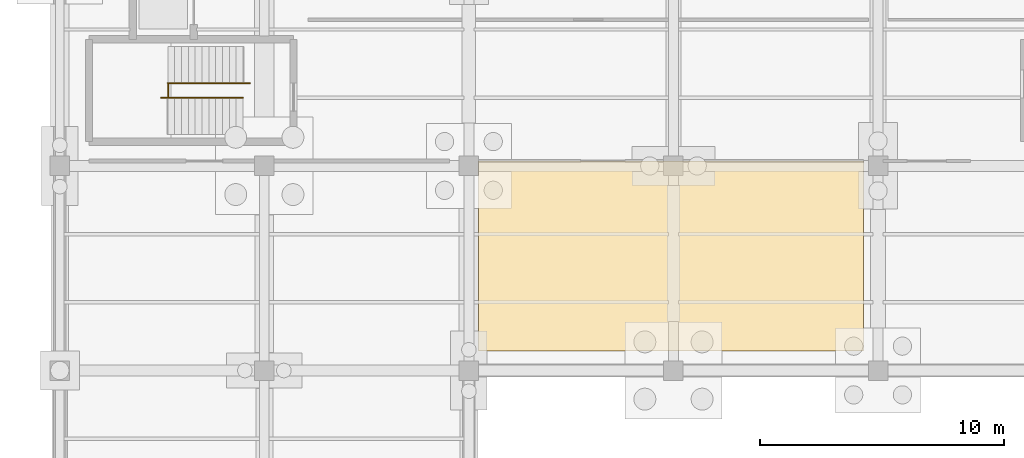
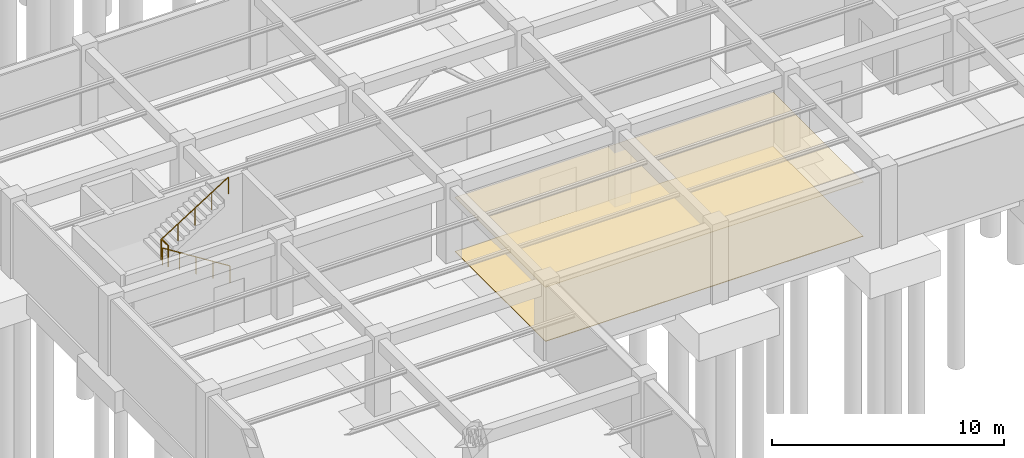
# One storey, part 32 of 38: 3 railings, 2 coverings.
"""IFC4 building model written with IfcOpenShell, lengths in metres."""

from ifc_helpers import new_model, si_unit, direction, frame, origin, origin_2d, place, context, subcontext, project, spatial, polyline, circle, outline, extrude, material, layer, layer_set, type_object, element, save


model = new_model("IFC4")

# Units and contexts
model_context = context("Model", 3, precision=1e-05, world=origin(), true_north=direction((0.0, 1.0)))
body_context = subcontext(model_context, "Body", "Model", "MODEL_VIEW")
ifc_project = project(units=[si_unit("LENGTHUNIT", "METRE"), si_unit("AREAUNIT", "SQUARE_METRE"), si_unit("VOLUMEUNIT", "CUBIC_METRE"), si_unit("PLANEANGLEUNIT", "RADIAN"), si_unit("MASSUNIT", "GRAM", prefix="KILO"), si_unit("THERMODYNAMICTEMPERATUREUNIT", "KELVIN"), si_unit("POWERUNIT", "WATT")], contexts=[model_context])

# Site, building, storey
site_placement = place(None, origin())
site = spatial("IfcSite", under=ifc_project, at=site_placement, CompositionType="ELEMENT")
building_placement = place(site_placement, origin())
building = spatial("IfcBuilding", under=site, at=building_placement, Name="Darbajah Civic Hall", CompositionType="ELEMENT")
storey_placement = place(building_placement, frame((0.0, 0.0, -4.199951171875)))
storey = spatial("IfcBuildingStorey", under=building, at=storey_placement, Name="B01", CompositionType="ELEMENT", Elevation=-4.199951171875)

# Railings
ifc_material_1 = material(Name="Brushed Bronze Stainless Steel", Category="steel")
railing_type_1 = type_object("IfcRailingType", Name="Brushed Bronze Handrail", PredefinedType="HANDRAIL", material=ifc_material_1)
railing_1_placement = place(storey_placement, frame((7.52001953125, 28.0, 0.175048828125)))
element("IfcRailing", 1, at=railing_1_placement, inside=storey, type_object=railing_type_1, Name="ST10 B01 lower flight handrail", PredefinedType="HANDRAIL", context=body_context, shape_type="SweptSolid", body=[
    extrude(circle(Radius=0.02392578125, at=origin_2d()), frame((-0.023193359375, 0.0, 0.910400390625), z_axis=(-0.845972016735, 0.0, 0.533227293844), x_axis=(0.0, -1.0, 0.0)), (0.0, 0.0, 1.0), 3.917236328125),
    extrude(circle(Radius=0.02099609375, at=origin_2d()), origin(), (0.0, 0.0, 1.0), 0.867919921875),
    extrude(circle(Radius=0.02099609375, at=origin_2d()), frame((-0.840087890625, 0.0, 0.529541015625)), (0.0, 0.0, 1.0), 0.867919921875),
    extrude(circle(Radius=0.02099609375, at=origin_2d()), frame((-1.68017578125, 0.0, 1.05908203125)), (0.0, 0.0, 1.0), 0.867919921875),
    extrude(circle(Radius=0.02099609375, at=origin_2d()), frame((-2.52001953125, 0.0, 1.58837890625)), (0.0, 0.0, 1.0), 0.867919921875),
    extrude(circle(Radius=0.02099609375, at=origin_2d()), frame((-3.360107421875, 0.0, 2.117919921875)), (0.0, 0.0, 1.0), 0.867919921875),
])
railing_2_placement = place(storey_placement, frame((4.43994140625, 28.60009765625, 2.27490234375)))
element("IfcRailing", 2, at=railing_2_placement, inside=storey, type_object=railing_type_1, Name="ST10 B01 upper flight handrail", PredefinedType="HANDRAIL", context=body_context, shape_type="SweptSolid", body=[
    extrude(circle(Radius=0.02392578125, at=origin_2d()), frame((0.023193359375, 0.0, 0.910400390625), z_axis=(0.845944288966, 0.0, 0.533271281775), x_axis=(0.0, 1.0, 0.0)), (0.0, 0.0, 1.0), 3.91748046875),
    extrude(circle(Radius=0.02099609375, at=origin_2d()), origin(), (0.0, 0.0, 1.0), 0.867919921875),
    extrude(circle(Radius=0.02099609375, at=origin_2d()), frame((0.840087890625, 0.0, 0.529541015625)), (0.0, 0.0, 1.0), 0.867919921875),
    extrude(circle(Radius=0.02099609375, at=origin_2d()), frame((1.68017578125, 0.0, 1.05908203125)), (0.0, 0.0, 1.0), 0.867919921875),
    extrude(circle(Radius=0.02099609375, at=origin_2d()), frame((2.52001953125, 0.0, 1.588623046875)), (0.0, 0.0, 1.0), 0.867919921875),
    extrude(circle(Radius=0.02099609375, at=origin_2d()), frame((3.360107421875, 0.0, 2.1181640625)), (0.0, 0.0, 1.0), 0.867919921875),
])

# Covering
ifc_material_2 = material(Name="Honed Qatari Limestone Terrazzo", Category="masonry")
ifc_layer_1 = layer(ifc_material_2, 0.030029296875, Name="Honed Qatari Limestone Terrazzo")
ifc_layer_set_1 = layer_set([ifc_layer_1], Name="Honed Qatari Limestone Terrazzo")
covering_type_1 = type_object("IfcCoveringType", Name="Honed Qatari Limestone Terrazzo Flooring", PredefinedType="FLOORING", material=ifc_layer_set_1)
covering_1_placement = place(storey_placement, origin())
element("IfcCovering", 3, at=covering_1_placement, inside=storey, type_object=covering_type_1, Name="B01 stone terrazzo flooring B01-13", PredefinedType="FLOORING", context=body_context, shape_type="SweptSolid", body=[
    extrude(outline(polyline([(17.199951171875, 17.60009765625), (33.0, 17.60009765625), (33.0, 25.39990234375), (17.199951171875, 25.39990234375), (17.199951171875, 17.60009765625)])), origin(), (0.0, 0.0, 1.0), 0.030029296875),
])

# Railing
ifc_material_3 = material(Name="Brushed Bronze and Laminated Safety Glass", Category="glass")
railing_type_2 = type_object("IfcRailingType", Name="Interior Guard Balustrade", PredefinedType="BALUSTRADE", material=ifc_material_3)
railing_3_placement = place(storey_placement, frame((4.4599609375, 28.0, 2.099853515625)))
element("IfcRailing", 4, at=railing_3_placement, inside=storey, type_object=railing_type_2, Name="ST10 B01 landing well guard", PredefinedType="BALUSTRADE", context=body_context, shape_type="SweptSolid", body=[
    extrude(circle(Radius=0.02392578125, at=origin_2d()), frame((0.0, 0.02734375, 1.09619140625), z_axis=(0.0, 1.0, 0.0), x_axis=(-1.0, 0.0, 0.0)), (0.0, 0.0, 1.0), 0.54541015625),
    extrude(circle(Radius=0.02099609375, at=origin_2d()), origin(), (0.0, 0.0, 1.0), 1.068115234375),
    extrude(circle(Radius=0.02099609375, at=origin_2d()), frame((0.0, 0.60009765625, 0.0)), (0.0, 0.0, 1.0), 1.068115234375),
])

# Covering
ifc_material_4 = material(Name="Perforated Acoustic Gypsum Board")
ifc_layer_2 = layer(ifc_material_4, 0.02490234375, Name="Perforated Acoustic Gypsum Board")
ifc_layer_set_2 = layer_set([ifc_layer_2], Name="Perforated Acoustic Gypsum Board")
covering_type_2 = type_object("IfcCoveringType", Name="Perforated Acoustic Gypsum Ceiling", PredefinedType="CEILING", material=ifc_layer_set_2)
covering_2_placement = place(storey_placement, frame((0.0, 0.0, 2.849853515625)))
element("IfcCovering", 5, at=covering_2_placement, inside=storey, type_object=covering_type_2, Name="B01 acoustic suspended ceiling B01-13", PredefinedType="CEILING", context=body_context, shape_type="SweptSolid", body=[
    extrude(outline(polyline([(17.199951171875, 17.60009765625), (33.0, 17.60009765625), (33.0, 25.39990234375), (17.199951171875, 25.39990234375), (17.199951171875, 17.60009765625)])), origin(), (0.0, 0.0, 1.0), 0.025146484375),
])

save(model, "model.ifc")
